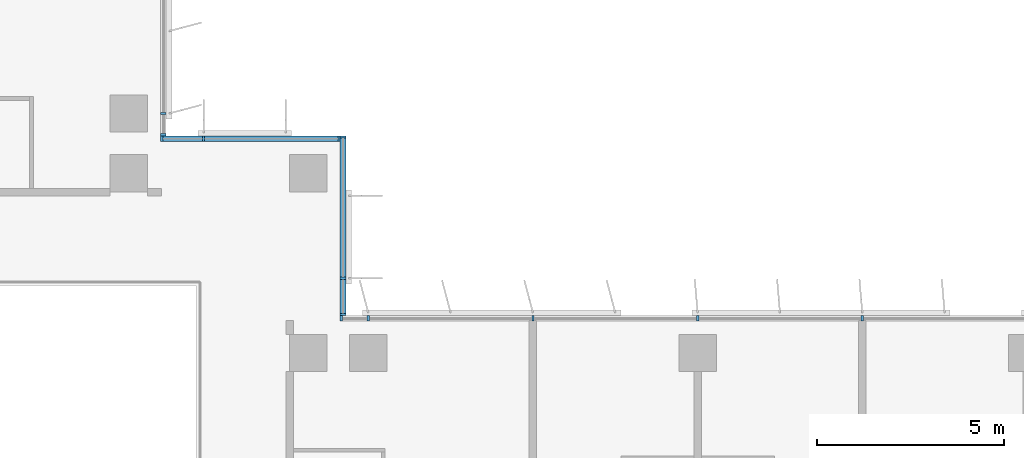
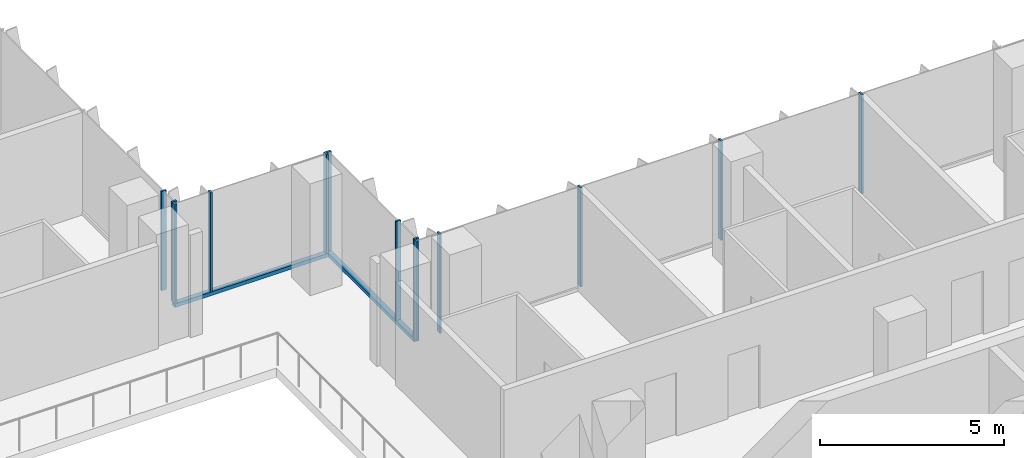
# One storey, part 2 of 21: 15 members, 4 elements without a shape of their own.
"""IFC4 building model written with IfcOpenShell, lengths in metres."""

from ifc_helpers import new_model, si_unit, direction, frame, origin, origin_2d, place, context, subcontext, project, spatial, rectangle, extrude, source, transform, mapped, material, material_profile, profile_set, type_object, element, aggregate, save


model = new_model("IFC4")

# Units and contexts
model_context = context("Model", 3, precision=1e-05, world=origin(), true_north=direction((0.0, 1.0)))
body_context = subcontext(model_context, "Body", "Model", "MODEL_VIEW")
ifc_project = project(units=[si_unit("LENGTHUNIT", "METRE"), si_unit("AREAUNIT", "SQUARE_METRE"), si_unit("VOLUMEUNIT", "CUBIC_METRE"), si_unit("PLANEANGLEUNIT", "RADIAN"), si_unit("MASSUNIT", "GRAM", prefix="KILO")], contexts=[model_context])

# Site, building, storey
site_placement = place(None, origin())
site = spatial("IfcSite", under=ifc_project, at=site_placement, CompositionType="ELEMENT")
building_placement = place(site_placement, origin())
building = spatial("IfcBuilding", under=site, at=building_placement, Name="Kemantara Hotel Tower", CompositionType="ELEMENT")
storey_placement = place(building_placement, frame((0.0, 0.0, 167.89990234375)))
storey = spatial("IfcBuildingStorey", under=building, at=storey_placement, Name="L41", CompositionType="ELEMENT", Elevation=167.89990234375)

# Curtain wall, member
ifc_material_1 = material(Name="Low-E tinted double insulated glass 36 mm", Category="glass")
curtain_wall_type = type_object("IfcCurtainWallType", Name="TOWER CURTAIN WALL, FRONT FACES", PredefinedType="USERDEFINED", material=ifc_material_1)
curtain_wall_1_placement = place(storey_placement, origin())
curtain_wall_1 = element("IfcCurtainWall", 1, at=curtain_wall_1_placement, inside=storey, type_object=curtain_wall_type, Name="CW4 L41 T3-R15-1", ObjectType="TOWER CURTAIN WALL, FRONT FACES", PredefinedType="USERDEFINED")
ifc_material_2 = material(Name="Aluminium 6063-T6 bronze anodised", Category="aluminium")
ifc_material_profile_1 = material_profile(ifc_material_2, rectangle(XDim=0.14990234375, YDim=0.1201171875, at=origin_2d()), Name="TOWER CURTAIN WALL, FRONT FACES TRANSOM")
ifc_profile_set_1 = profile_set([ifc_material_profile_1], Name="Aluminium 6063-T6 bronze anodised")
member_type_1 = type_object("IfcMemberType", Name="TOWER CURTAIN WALL, FRONT FACES TRANSOM", PredefinedType="USERDEFINED", material=ifc_profile_set_1)
member_1_placement = place(storey_placement, frame((26.72509765625, 22.0, 0.06005859375), z_axis=(0.0, 1.0, 0.0), x_axis=(-1.0, 0.0, 0.0)))
member_1 = element("IfcMember", 2, at=member_1_placement, type_object=member_type_1, Name="CW4 sill transom T3-R15-1", ObjectType="TRANSOM", PredefinedType="USERDEFINED", context=body_context, shape_type="SweptSolid", body=[
    extrude(rectangle(XDim=0.14990234375, YDim=0.1201171875, at=origin_2d()), origin(), (0.0, 0.0, 1.0), 4.800048828125),
])

curtain_wall_2_placement = place(storey_placement, origin())
curtain_wall_2 = element("IfcCurtainWall", 3, at=curtain_wall_2_placement, inside=storey, type_object=curtain_wall_type, Name="CW4 L41 T3-R16-1", ObjectType="TOWER CURTAIN WALL, FRONT FACES", PredefinedType="USERDEFINED")
member_2_placement = place(storey_placement, frame((26.64990234375, 26.72509765625, 0.06005859375), z_axis=(-1.0, 0.0, 0.0), x_axis=(0.0, -1.0, 0.0)))
member_2 = element("IfcMember", 4, at=member_2_placement, type_object=member_type_1, Name="CW4 sill transom T3-R16-1", ObjectType="TRANSOM", PredefinedType="USERDEFINED", context=body_context, shape_type="SweptSolid", body=[
    extrude(rectangle(XDim=0.14990234375, YDim=0.1201171875, at=origin_2d()), origin(), (0.0, 0.0, 1.0), 4.7998046875),
])

# Curtain wall, members
curtain_wall_3_placement = place(storey_placement, origin())
curtain_wall_3 = element("IfcCurtainWall", 5, at=curtain_wall_3_placement, inside=storey, type_object=curtain_wall_type, Name="CW4 L41 T3-R14-1", ObjectType="TOWER CURTAIN WALL, FRONT FACES", PredefinedType="USERDEFINED")
ifc_material_profile_2 = material_profile(ifc_material_2, rectangle(XDim=0.14990234375, YDim=0.06005859375, at=origin_2d()), Name="TOWER CURTAIN WALL, FRONT FACES MULLION")
ifc_profile_set_2 = profile_set([ifc_material_profile_2], Name="Aluminium 6063-T6 bronze anodised")
member_type_2 = type_object("IfcMemberType", Name="TOWER CURTAIN WALL, FRONT FACES MULLION", PredefinedType="MULLION", material=ifc_profile_set_2)
shared_shape = source(origin(), body_context, "Body", "SweptSolid", [
    extrude(rectangle(XDim=0.14990234375, YDim=0.06005859375, at=origin_2d()), origin(), (0.0, 0.0, 1.0), 3.280029296875),
])
member_3_placement = place(storey_placement, frame((40.60009765625, 21.925048828125, 0.1201171875), z_axis=(0.0, 0.0, 1.0), x_axis=(0.0, -1.0, 0.0)))
member_3 = element("IfcMember", 6, at=member_3_placement, type_object=member_type_2, Name="CW4 mullion T3-R14-1.6", PredefinedType="MULLION", context=body_context, shape_type="MappedRepresentation", body=[
    mapped(shared_shape, transform((0.0, 0.0, 0.0))),
])
member_4_placement = place(storey_placement, frame((36.199951171875, 21.925048828125, 0.1201171875), z_axis=(0.0, 0.0, 1.0), x_axis=(0.0, -1.0, 0.0)))
member_4 = element("IfcMember", 7, at=member_4_placement, type_object=member_type_2, Name="CW4 mullion T3-R14-1.7", PredefinedType="MULLION", context=body_context, shape_type="MappedRepresentation", body=[
    mapped(shared_shape, transform((0.0, 0.0, 0.0))),
])
member_5_placement = place(storey_placement, frame((31.800048828125, 21.925048828125, 0.1201171875), z_axis=(0.0, 0.0, 1.0), x_axis=(0.0, -1.0, 0.0)))
member_5 = element("IfcMember", 8, at=member_5_placement, type_object=member_type_2, Name="CW4 mullion T3-R14-1.8", PredefinedType="MULLION", context=body_context, shape_type="MappedRepresentation", body=[
    mapped(shared_shape, transform((0.0, 0.0, 0.0))),
])
member_6_placement = place(storey_placement, frame((27.39990234375, 21.925048828125, 0.1201171875), z_axis=(0.0, 0.0, 1.0), x_axis=(0.0, -1.0, 0.0)))
member_6 = element("IfcMember", 9, at=member_6_placement, type_object=member_type_2, Name="CW4 mullion T3-R14-1.9", PredefinedType="MULLION", context=body_context, shape_type="MappedRepresentation", body=[
    mapped(shared_shape, transform((0.0, 0.0, 0.0))),
])
member_7_placement = place(storey_placement, frame((26.679931640625, 21.925048828125, 0.1201171875), z_axis=(0.0, 0.0, 1.0), x_axis=(0.0, -1.0, 0.0)))
member_7 = element("IfcMember", 10, at=member_7_placement, type_object=member_type_2, Name="CW4 mullion T3-R14-1.10", PredefinedType="MULLION", context=body_context, shape_type="MappedRepresentation", body=[
    mapped(shared_shape, transform((0.0, 0.0, 0.0))),
])
aggregate(curtain_wall_3, [member_3, member_4, member_5, member_6, member_7])

# Member
member_8_placement = place(storey_placement, frame((26.72509765625, 22.030029296875, 0.1201171875), z_axis=(0.0, 0.0, 1.0), x_axis=(-1.0, 0.0, 0.0)))
member_8 = element("IfcMember", 11, at=member_8_placement, type_object=member_type_2, Name="CW4 mullion T3-R15-1.1", PredefinedType="MULLION", context=body_context, shape_type="MappedRepresentation", body=[
    mapped(shared_shape, transform((0.0, 0.0, 0.0))),
])

member_9_placement = place(storey_placement, frame((26.72509765625, 23.0, 0.1201171875), z_axis=(0.0, 0.0, 1.0), x_axis=(-1.0, 0.0, 0.0)))
member_9 = element("IfcMember", 12, at=member_9_placement, type_object=member_type_2, Name="CW4 mullion T3-R15-1.2", PredefinedType="MULLION", context=body_context, shape_type="MappedRepresentation", body=[
    mapped(shared_shape, transform((0.0, 0.0, 0.0))),
])

member_10_placement = place(storey_placement, frame((26.72509765625, 26.77001953125, 0.1201171875), z_axis=(0.0, 0.0, 1.0), x_axis=(-1.0, 0.0, 0.0)))
member_10 = element("IfcMember", 13, at=member_10_placement, type_object=member_type_2, Name="CW4 mullion T3-R15-1.3", PredefinedType="MULLION", context=body_context, shape_type="MappedRepresentation", body=[
    mapped(shared_shape, transform((0.0, 0.0, 0.0))),
])

aggregate(curtain_wall_1, [member_1, member_8, member_9, member_10])

member_11_placement = place(storey_placement, frame((26.6201171875, 26.72509765625, 0.1201171875), z_axis=(0.0, 0.0, 1.0), x_axis=(0.0, -1.0, 0.0)))
member_11 = element("IfcMember", 14, at=member_11_placement, type_object=member_type_2, Name="CW4 mullion T3-R16-1.1", PredefinedType="MULLION", context=body_context, shape_type="MappedRepresentation", body=[
    mapped(shared_shape, transform((0.0, 0.0, 0.0))),
])

member_12_placement = place(storey_placement, frame((23.0, 26.72509765625, 0.1201171875), z_axis=(0.0, 0.0, 1.0), x_axis=(0.0, -1.0, 0.0)))
member_12 = element("IfcMember", 15, at=member_12_placement, type_object=member_type_2, Name="CW4 mullion T3-R16-1.2", PredefinedType="MULLION", context=body_context, shape_type="MappedRepresentation", body=[
    mapped(shared_shape, transform((0.0, 0.0, 0.0))),
])

member_13_placement = place(storey_placement, frame((21.8798828125, 26.72509765625, 0.1201171875), z_axis=(0.0, 0.0, 1.0), x_axis=(0.0, -1.0, 0.0)))
member_13 = element("IfcMember", 16, at=member_13_placement, type_object=member_type_2, Name="CW4 mullion T3-R16-1.3", PredefinedType="MULLION", context=body_context, shape_type="MappedRepresentation", body=[
    mapped(shared_shape, transform((0.0, 0.0, 0.0))),
])

aggregate(curtain_wall_2, [member_2, member_11, member_12, member_13])

# Curtain wall, members
curtain_wall_4_placement = place(storey_placement, origin())
curtain_wall_4 = element("IfcCurtainWall", 17, at=curtain_wall_4_placement, inside=storey, type_object=curtain_wall_type, Name="CW4 L41 T3-R17-1", ObjectType="TOWER CURTAIN WALL, FRONT FACES", PredefinedType="USERDEFINED")
member_14_placement = place(storey_placement, frame((21.925048828125, 26.830078125, 0.1201171875), z_axis=(0.0, 0.0, 1.0), x_axis=(-1.0, 0.0, 0.0)))
member_14 = element("IfcMember", 18, at=member_14_placement, type_object=member_type_2, Name="CW4 mullion T3-R17-1.1", PredefinedType="MULLION", context=body_context, shape_type="MappedRepresentation", body=[
    mapped(shared_shape, transform((0.0, 0.0, 0.0))),
])
member_15_placement = place(storey_placement, frame((21.925048828125, 27.39990234375, 0.1201171875), z_axis=(0.0, 0.0, 1.0), x_axis=(-1.0, 0.0, 0.0)))
member_15 = element("IfcMember", 19, at=member_15_placement, type_object=member_type_2, Name="CW4 mullion T3-R17-1.2", PredefinedType="MULLION", context=body_context, shape_type="MappedRepresentation", body=[
    mapped(shared_shape, transform((0.0, 0.0, 0.0))),
])
aggregate(curtain_wall_4, [member_14, member_15])

save(model, "model.ifc")
